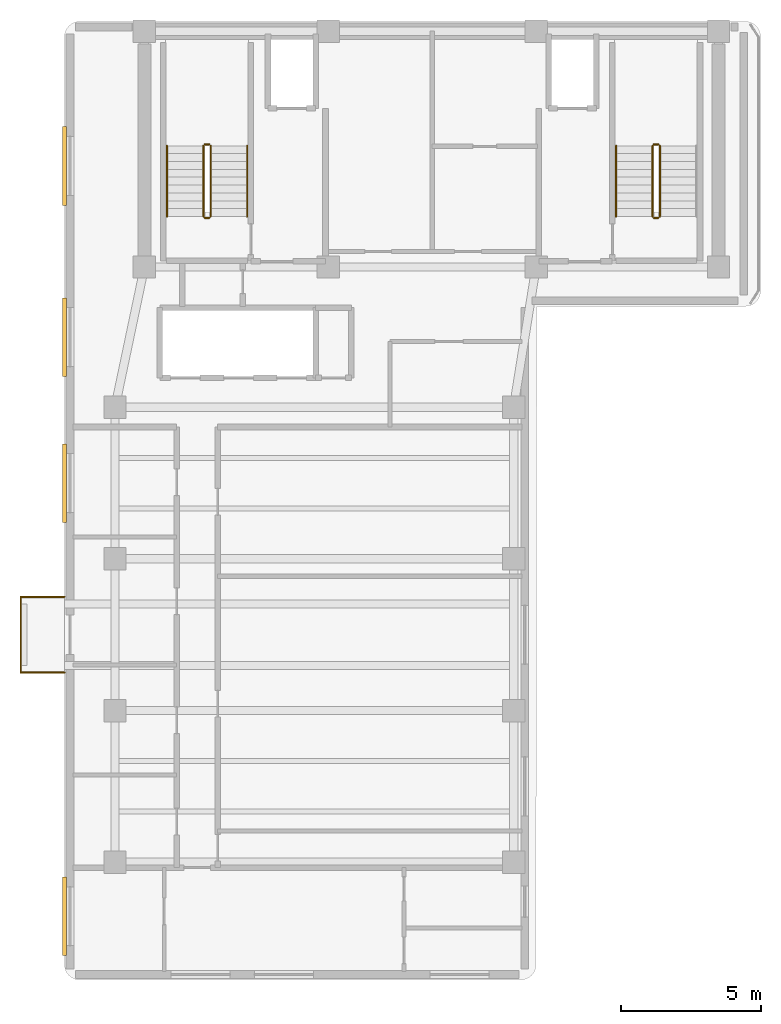
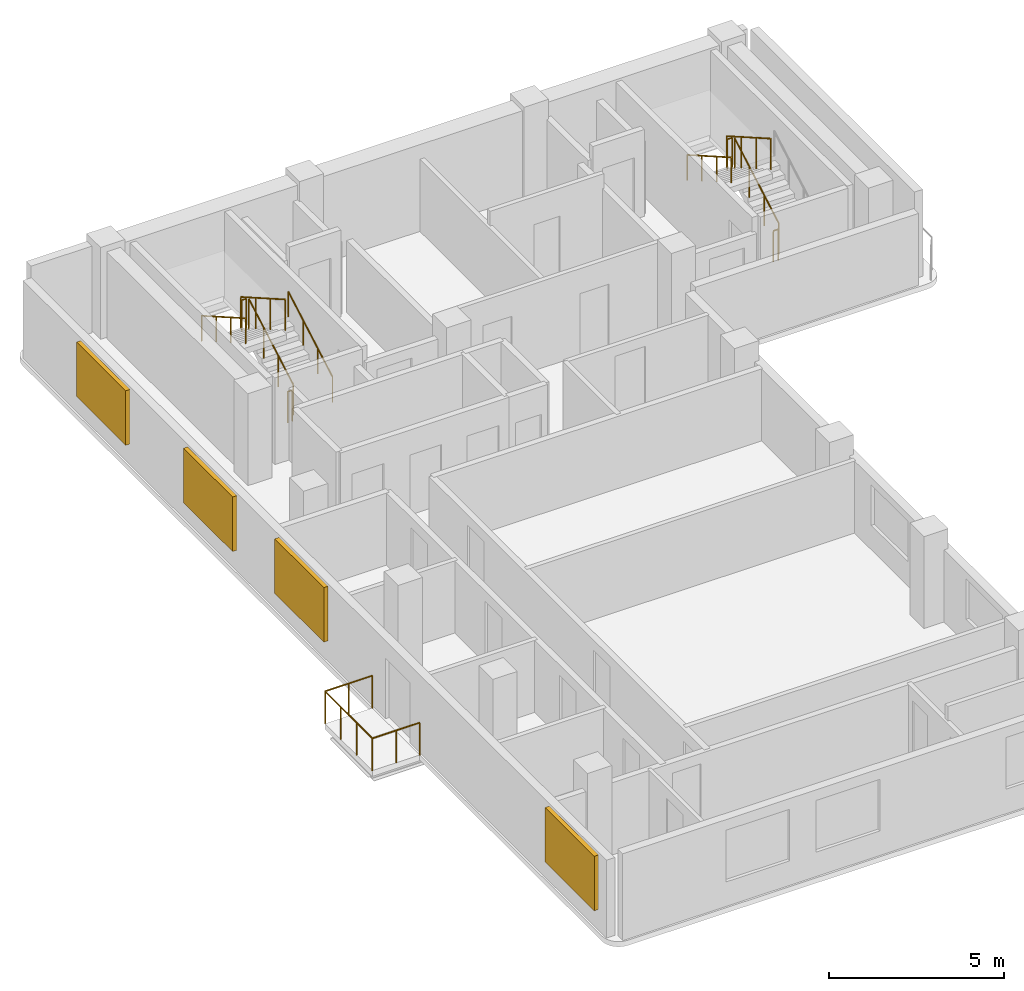
# One storey, part 5 of 6: 14 railings, 4 shading devices.
"""IFC4 building model written with IfcOpenShell, lengths in metres."""

from ifc_helpers import new_model, si_unit, direction, frame, origin, origin_2d, place, context, subcontext, project, spatial, rectangle, circle, extrude, material, layer, layer_set, type_object, element, save


model = new_model("IFC4")

# Units and contexts
model_context = context("Model", 3, precision=1e-05, world=origin(), true_north=direction((0.0, 1.0)))
body_context = subcontext(model_context, "Body", "Model", "MODEL_VIEW")
ifc_project = project(units=[si_unit("LENGTHUNIT", "METRE"), si_unit("AREAUNIT", "SQUARE_METRE"), si_unit("VOLUMEUNIT", "CUBIC_METRE"), si_unit("PLANEANGLEUNIT", "RADIAN"), si_unit("MASSUNIT", "GRAM", prefix="KILO")], contexts=[model_context])

# Site, building, storey
site_placement = place(None, origin())
site = spatial("IfcSite", under=ifc_project, at=site_placement, CompositionType="ELEMENT")
building_placement = place(site_placement, origin())
building = spatial("IfcBuilding", under=site, at=building_placement, Name="Kuzgunbayir Cultural Tower", CompositionType="ELEMENT")
storey_placement = place(building_placement, frame((0.0, 0.0, 218.39990234375)))
storey = spatial("IfcBuildingStorey", under=building, at=storey_placement, Name="L64", CompositionType="ELEMENT", Elevation=218.39990234375)

# Railings
ifc_material_1 = material(Name="Laminated Glass and Stainless Steel", Category="steel")
ifc_layer_1 = layer(ifc_material_1, 0.080078125)
ifc_layer_set_1 = layer_set([ifc_layer_1], Name="Laminated Glass and Stainless Steel")
railing_type_1 = type_object("IfcRailingType", Name="RLG-BAL-115", PredefinedType="BALUSTRADE", material=ifc_layer_set_1)
railing_1_placement = place(storey_placement, frame((3.60009765625, 19.35009765625, 0.0)))
element("IfcRailing", 1, at=railing_1_placement, inside=storey, type_object=railing_type_1, Name="L64 Balcony Guard BAL-L64-WA2 Segment 1", PredefinedType="BALUSTRADE", context=body_context, shape_type="SweptSolid", body=[
    extrude(circle(Radius=0.02392578125, at=origin_2d()), frame((0.0, 0.0, 1.1259765625), z_axis=(-1.0, 0.0, 0.0), x_axis=(0.0, -1.0, 0.0)), (0.0, 0.0, 1.0), 1.56005859375),
    extrude(circle(Radius=0.02099609375, at=origin_2d()), origin(), (0.0, 0.0, 1.0), 1.101806640625),
    extrude(circle(Radius=0.02099609375, at=origin_2d()), frame((-0.780029296875, 0.0, 0.0)), (0.0, 0.0, 1.0), 1.101806640625),
    extrude(circle(Radius=0.02099609375, at=origin_2d()), frame((-1.56005859375, 0.0, 0.0)), (0.0, 0.0, 1.0), 1.101806640625),
])
railing_2_placement = place(storey_placement, frame((2.0400390625, 19.35009765625, 0.0)))
element("IfcRailing", 2, at=railing_2_placement, inside=storey, type_object=railing_type_1, Name="L64 Balcony Guard BAL-L64-WA2 Segment 2", PredefinedType="BALUSTRADE", context=body_context, shape_type="SweptSolid", body=[
    extrude(circle(Radius=0.02392578125, at=origin_2d()), frame((0.0, 0.0, 1.1259765625), z_axis=(0.0, 1.0, 0.0), x_axis=(-1.0, 0.0, 0.0)), (0.0, 0.0, 1.0), 2.699951171875),
    extrude(circle(Radius=0.02099609375, at=origin_2d()), origin(), (0.0, 0.0, 1.0), 1.101806640625),
    extrude(circle(Radius=0.02099609375, at=origin_2d()), frame((0.0, 0.89990234375, 0.0)), (0.0, 0.0, 1.0), 1.101806640625),
    extrude(circle(Radius=0.02099609375, at=origin_2d()), frame((0.0, 1.800048828125, 0.0)), (0.0, 0.0, 1.0), 1.101806640625),
    extrude(circle(Radius=0.02099609375, at=origin_2d()), frame((0.0, 2.699951171875, 0.0)), (0.0, 0.0, 1.0), 1.101806640625),
])
railing_3_placement = place(storey_placement, frame((2.0400390625, 22.050048828125, 0.0)))
element("IfcRailing", 3, at=railing_3_placement, inside=storey, type_object=railing_type_1, Name="L64 Balcony Guard BAL-L64-WA2 Segment 3", PredefinedType="BALUSTRADE", context=body_context, shape_type="SweptSolid", body=[
    extrude(circle(Radius=0.02392578125, at=origin_2d()), frame((0.0, 0.0, 1.1259765625), z_axis=(1.0, 0.0, 0.0), x_axis=(0.0, 1.0, 0.0)), (0.0, 0.0, 1.0), 1.56005859375),
    extrude(circle(Radius=0.02099609375, at=origin_2d()), origin(), (0.0, 0.0, 1.0), 1.101806640625),
    extrude(circle(Radius=0.02099609375, at=origin_2d()), frame((0.780029296875, 0.0, 0.0)), (0.0, 0.0, 1.0), 1.101806640625),
    extrude(circle(Radius=0.02099609375, at=origin_2d()), frame((1.56005859375, 0.0, 0.0)), (0.0, 0.0, 1.0), 1.101806640625),
])
ifc_material_2 = material(Name="Brushed Stainless Steel", Category="steel")
ifc_layer_2 = layer(ifc_material_2, 0.050048828125)
ifc_layer_set_2 = layer_set([ifc_layer_2], Name="Brushed Stainless Steel")
railing_type_2 = type_object("IfcRailingType", Name="RLG-STAIR-HANDRAIL", PredefinedType="HANDRAIL", material=ifc_layer_set_2)
railing_4_placement = place(storey_placement, frame((10.110107421875, 35.60009765625, 0.16015625)))
element("IfcRailing", 4, at=railing_4_placement, inside=storey, type_object=railing_type_2, Name="L64 ST-1 stair handrail 1", PredefinedType="HANDRAIL", context=body_context, shape_type="SweptSolid", body=[
    extrude(circle(Radius=0.02392578125, at=origin_2d()), frame((0.0, 0.0, 0.8759765625), z_axis=(0.0, 0.868253494771, 0.496120820787), x_axis=(-1.0, 0.0, 0.0)), (0.0, 0.0, 1.0), 2.90234375),
    extrude(circle(Radius=0.02099609375, at=origin_2d()), origin(), (0.0, 0.0, 1.0), 0.851806640625),
    extrude(circle(Radius=0.02099609375, at=origin_2d()), frame((0.0, 0.840087890625, 0.47998046875)), (0.0, 0.0, 1.0), 0.851806640625),
    extrude(circle(Radius=0.02099609375, at=origin_2d()), frame((0.0, 1.679931640625, 0.9599609375)), (0.0, 0.0, 1.0), 0.851806640625),
    extrude(circle(Radius=0.02099609375, at=origin_2d()), frame((0.0, 2.52001953125, 1.43994140625)), (0.0, 0.0, 1.0), 0.851806640625),
])
for number, where, name in (
    (5, (7.25, 38.1201171875, 1.760009765625), "L64 ST-1 stair handrail 2"),
    (6, (23.25, 38.1201171875, 1.760009765625), "L64 ST-2 stair handrail 2"),
):
    element("IfcRailing", number, at=place(storey_placement, frame(where)), inside=storey, type_object=railing_type_2, Name=name, PredefinedType="HANDRAIL", context=body_context, shape_type="SweptSolid", body=[
        extrude(circle(Radius=0.02392578125, at=origin_2d()), frame((0.0, 0.0, 0.8759765625), z_axis=(0.0, -0.868217259934, 0.496184229447), x_axis=(1.0, 0.0, 0.0)), (0.0, 0.0, 1.0), 2.902587890625),
        extrude(circle(Radius=0.02099609375, at=origin_2d()), origin(), (0.0, 0.0, 1.0), 0.851806640625),
        extrude(circle(Radius=0.02099609375, at=origin_2d()), frame((0.0, -0.840087890625, 0.47998046875)), (0.0, 0.0, 1.0), 0.851806640625),
        extrude(circle(Radius=0.02099609375, at=origin_2d()), frame((0.0, -1.679931640625, 0.960205078125)), (0.0, 0.0, 1.0), 0.851806640625),
        extrude(circle(Radius=0.02099609375, at=origin_2d()), frame((0.0, -2.52001953125, 1.440185546875)), (0.0, 0.0, 1.0), 0.851806640625),
    ])
ifc_material_3 = material(Name="Painted Steel Balustrade", Category="steel")
ifc_layer_3 = layer(ifc_material_3, 0.06005859375)
ifc_layer_set_3 = layer_set([ifc_layer_3], Name="Painted Steel Balustrade")
railing_type_3 = type_object("IfcRailingType", Name="RLG-WELL-GUARD", PredefinedType="GUARDRAIL", material=ifc_layer_set_3)
railing_5_placement = place(storey_placement, frame((8.81005859375, 35.60009765625, 0.16015625)))
element("IfcRailing", 7, at=railing_5_placement, inside=storey, type_object=railing_type_3, Name="L64 ST-1 stair guard 1", PredefinedType="GUARDRAIL", context=body_context, shape_type="SweptSolid", body=[
    extrude(circle(Radius=0.02392578125, at=origin_2d()), frame((0.0, 0.0, 1.076171875), z_axis=(0.0, 0.868253494771, 0.496120820787), x_axis=(-1.0, 0.0, 0.0)), (0.0, 0.0, 1.0), 2.90234375),
    extrude(circle(Radius=0.02099609375, at=origin_2d()), origin(), (0.0, 0.0, 1.0), 1.052001953125),
    extrude(circle(Radius=0.02099609375, at=origin_2d()), frame((0.0, 0.840087890625, 0.47998046875)), (0.0, 0.0, 1.0), 1.052001953125),
    extrude(circle(Radius=0.02099609375, at=origin_2d()), frame((0.0, 1.679931640625, 0.9599609375)), (0.0, 0.0, 1.0), 1.052001953125),
    extrude(circle(Radius=0.02099609375, at=origin_2d()), frame((0.0, 2.52001953125, 1.43994140625)), (0.0, 0.0, 1.0), 1.052001953125),
])
railing_6_placement = place(storey_placement, frame((8.760009765625, 38.169921875, 1.60009765625)))
element("IfcRailing", 8, at=railing_6_placement, inside=storey, type_object=railing_type_3, Name="L64 ST-1 stair guard 2", PredefinedType="GUARDRAIL", context=body_context, shape_type="SweptSolid", body=[
    extrude(circle(Radius=0.02392578125, at=origin_2d()), frame((0.0, 0.0, 1.076171875), z_axis=(-1.0, 0.0, 0.0), x_axis=(0.0, -1.0, 0.0)), (0.0, 0.0, 1.0), 0.159912109375),
    extrude(circle(Radius=0.02099609375, at=origin_2d()), origin(), (0.0, 0.0, 1.0), 1.052001953125),
    extrude(circle(Radius=0.02099609375, at=origin_2d()), frame((-0.159912109375, 0.0, 0.0)), (0.0, 0.0, 1.0), 1.052001953125),
])
railing_7_placement = place(storey_placement, frame((8.550048828125, 38.1201171875, 1.760009765625)))
element("IfcRailing", 9, at=railing_7_placement, inside=storey, type_object=railing_type_3, Name="L64 ST-1 stair guard 3", PredefinedType="GUARDRAIL", context=body_context, shape_type="SweptSolid", body=[
    extrude(circle(Radius=0.02392578125, at=origin_2d()), frame((0.0, 0.0, 1.076171875), z_axis=(0.0, -0.868217259934, 0.496184229447), x_axis=(1.0, 0.0, 0.0)), (0.0, 0.0, 1.0), 2.902587890625),
    extrude(circle(Radius=0.02099609375, at=origin_2d()), origin(), (0.0, 0.0, 1.0), 1.052001953125),
    extrude(circle(Radius=0.02099609375, at=origin_2d()), frame((0.0, -0.840087890625, 0.47998046875)), (0.0, 0.0, 1.0), 1.052001953125),
    extrude(circle(Radius=0.02099609375, at=origin_2d()), frame((0.0, -1.679931640625, 0.960205078125)), (0.0, 0.0, 1.0), 1.052001953125),
    extrude(circle(Radius=0.02099609375, at=origin_2d()), frame((0.0, -2.52001953125, 1.440185546875)), (0.0, 0.0, 1.0), 1.052001953125),
])
railing_8_placement = place(storey_placement, frame((8.760009765625, 35.550048828125, 0.0)))
element("IfcRailing", 10, at=railing_8_placement, inside=storey, type_object=railing_type_3, Name="L64 ST-1 stair guard 4", PredefinedType="GUARDRAIL", context=body_context, shape_type="SweptSolid", body=[
    extrude(circle(Radius=0.02392578125, at=origin_2d()), frame((0.0, 0.0, 1.076171875), z_axis=(-1.0, 0.0, 0.0), x_axis=(0.0, -1.0, 0.0)), (0.0, 0.0, 1.0), 0.159912109375),
    extrude(circle(Radius=0.02099609375, at=origin_2d()), origin(), (0.0, 0.0, 1.0), 1.052001953125),
    extrude(circle(Radius=0.02099609375, at=origin_2d()), frame((-0.159912109375, 0.0, 0.0)), (0.0, 0.0, 1.0), 1.052001953125),
])
railing_9_placement = place(storey_placement, frame((24.81005859375, 35.60009765625, 0.16015625)))
element("IfcRailing", 11, at=railing_9_placement, inside=storey, type_object=railing_type_3, Name="L64 ST-2 stair guard 1", PredefinedType="GUARDRAIL", context=body_context, shape_type="SweptSolid", body=[
    extrude(circle(Radius=0.02392578125, at=origin_2d()), frame((0.0, 0.0, 1.076171875), z_axis=(0.0, 0.868253494771, 0.496120820787), x_axis=(-1.0, 0.0, 0.0)), (0.0, 0.0, 1.0), 2.90234375),
    extrude(circle(Radius=0.02099609375, at=origin_2d()), origin(), (0.0, 0.0, 1.0), 1.052001953125),
    extrude(circle(Radius=0.02099609375, at=origin_2d()), frame((0.0, 0.840087890625, 0.47998046875)), (0.0, 0.0, 1.0), 1.052001953125),
    extrude(circle(Radius=0.02099609375, at=origin_2d()), frame((0.0, 1.679931640625, 0.9599609375)), (0.0, 0.0, 1.0), 1.052001953125),
    extrude(circle(Radius=0.02099609375, at=origin_2d()), frame((0.0, 2.52001953125, 1.43994140625)), (0.0, 0.0, 1.0), 1.052001953125),
])
railing_10_placement = place(storey_placement, frame((24.760009765625, 38.169921875, 1.60009765625)))
element("IfcRailing", 12, at=railing_10_placement, inside=storey, type_object=railing_type_3, Name="L64 ST-2 stair guard 2", PredefinedType="GUARDRAIL", context=body_context, shape_type="SweptSolid", body=[
    extrude(circle(Radius=0.02392578125, at=origin_2d()), frame((0.0, 0.0, 1.076171875), z_axis=(-1.0, 0.0, 0.0), x_axis=(0.0, -1.0, 0.0)), (0.0, 0.0, 1.0), 0.159912109375),
    extrude(circle(Radius=0.02099609375, at=origin_2d()), origin(), (0.0, 0.0, 1.0), 1.052001953125),
    extrude(circle(Radius=0.02099609375, at=origin_2d()), frame((-0.159912109375, 0.0, 0.0)), (0.0, 0.0, 1.0), 1.052001953125),
])
railing_11_placement = place(storey_placement, frame((24.550048828125, 38.1201171875, 1.760009765625)))
element("IfcRailing", 13, at=railing_11_placement, inside=storey, type_object=railing_type_3, Name="L64 ST-2 stair guard 3", PredefinedType="GUARDRAIL", context=body_context, shape_type="SweptSolid", body=[
    extrude(circle(Radius=0.02392578125, at=origin_2d()), frame((0.0, 0.0, 1.076171875), z_axis=(0.0, -0.868217259934, 0.496184229447), x_axis=(1.0, 0.0, 0.0)), (0.0, 0.0, 1.0), 2.902587890625),
    extrude(circle(Radius=0.02099609375, at=origin_2d()), origin(), (0.0, 0.0, 1.0), 1.052001953125),
    extrude(circle(Radius=0.02099609375, at=origin_2d()), frame((0.0, -0.840087890625, 0.47998046875)), (0.0, 0.0, 1.0), 1.052001953125),
    extrude(circle(Radius=0.02099609375, at=origin_2d()), frame((0.0, -1.679931640625, 0.960205078125)), (0.0, 0.0, 1.0), 1.052001953125),
    extrude(circle(Radius=0.02099609375, at=origin_2d()), frame((0.0, -2.52001953125, 1.440185546875)), (0.0, 0.0, 1.0), 1.052001953125),
])
railing_12_placement = place(storey_placement, frame((24.760009765625, 35.550048828125, 0.0)))
element("IfcRailing", 14, at=railing_12_placement, inside=storey, type_object=railing_type_3, Name="L64 ST-2 stair guard 4", PredefinedType="GUARDRAIL", context=body_context, shape_type="SweptSolid", body=[
    extrude(circle(Radius=0.02392578125, at=origin_2d()), frame((0.0, 0.0, 1.076171875), z_axis=(-1.0, 0.0, 0.0), x_axis=(0.0, -1.0, 0.0)), (0.0, 0.0, 1.0), 0.159912109375),
    extrude(circle(Radius=0.02099609375, at=origin_2d()), origin(), (0.0, 0.0, 1.0), 1.052001953125),
    extrude(circle(Radius=0.02099609375, at=origin_2d()), frame((-0.159912109375, 0.0, 0.0)), (0.0, 0.0, 1.0), 1.052001953125),
])

# Shading devices
ifc_material_4 = material(Name="Perforated Bronze-Anodised Aluminium", Category="aluminium")
shading_device_type = type_object("IfcShadingDeviceType", Name="SHD-SOLAR-BRONZE", PredefinedType="JALOUSIE", material=ifc_material_4)
for number, where, z_axis, x_axis, name in (
    (15, (3.60009765625, 10.669921875, 0.710205078125), (0.0, 0.0, 1.0), (1.0, 0.0, 0.0), "L64 Perforated Bronze Solar Screen WAW1"),
    (16, (3.60009765625, 26.10009765625, 0.710205078125), (0.0, 0.0, 1.0), (1.0, 0.0, 0.0), "L64 Perforated Bronze Solar Screen WAW5"),
    (17, (3.60009765625, 31.300048828125, 0.710205078125), (0.0, 0.0, 1.0), (1.0, 0.0, 0.0), "L64 Perforated Bronze Solar Screen WAW6"),
    (18, (3.60009765625, 37.39990234375, 0.710205078125), (0.0, 0.0, 1.0), (1.0, 0.0, 0.0), "L64 Perforated Bronze Solar Screen WAW7"),
):
    element("IfcShadingDevice", number, at=place(storey_placement, frame(where, z_axis=z_axis, x_axis=x_axis)), inside=storey, type_object=shading_device_type, Name=name, PredefinedType="JALOUSIE", context=body_context, shape_type="SweptSolid", body=[
        extrude(rectangle(XDim=0.139892578125, YDim=2.800048828125, at=origin_2d()), origin(), (0.0, 0.0, 1.0), 1.89990234375),
    ])

save(model, "model.ifc")
